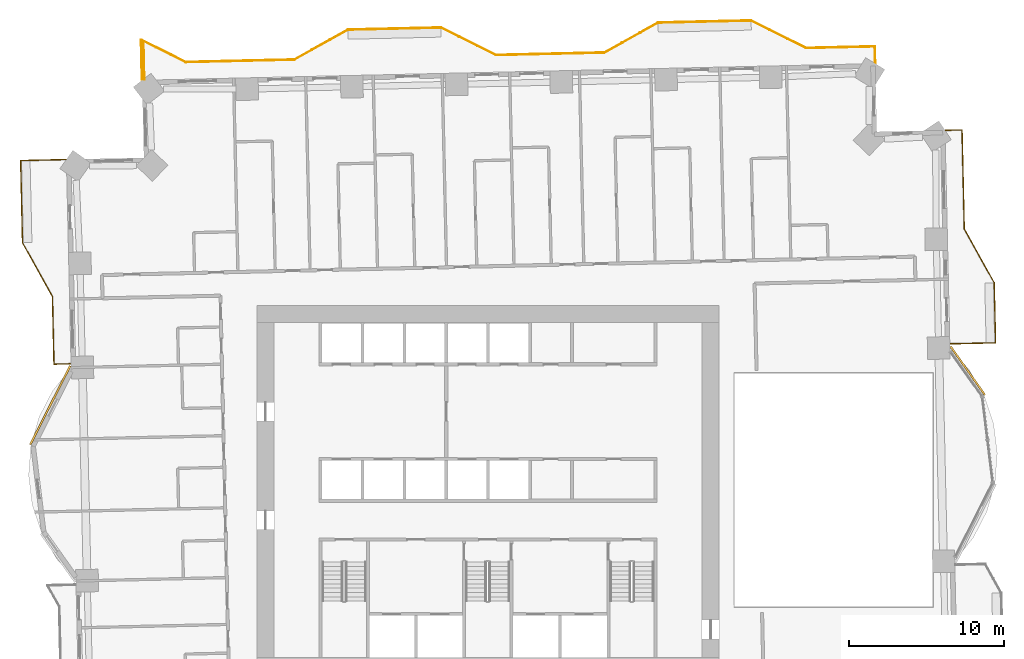
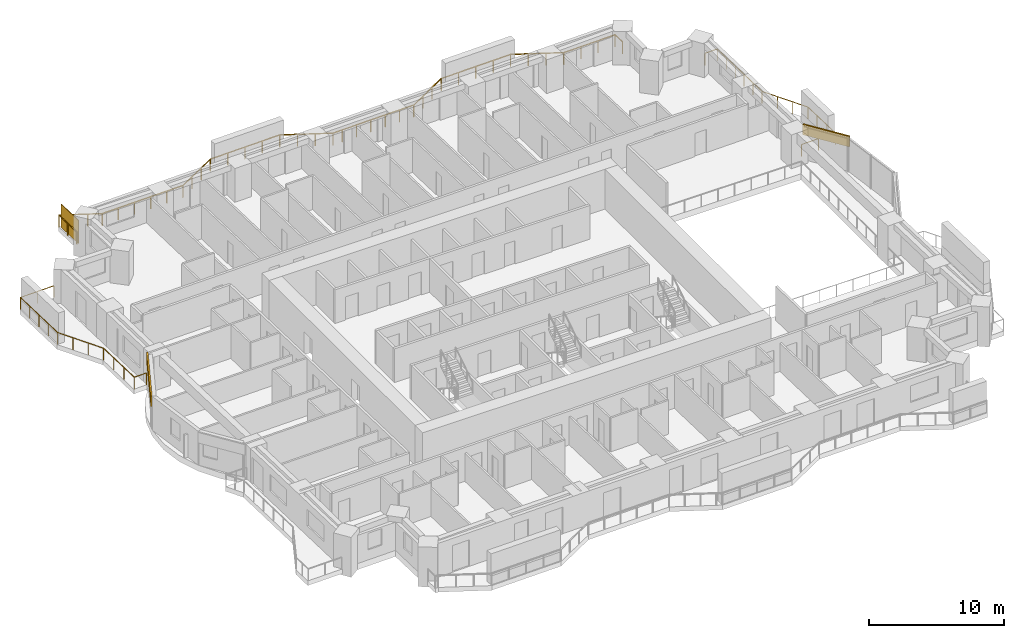
# One storey, part 17 of 17: 3 railings, 2 coverings, 1 shading device.
"""IFC4 building model written with IfcOpenShell, lengths in metres."""

from ifc_helpers import new_model, si_unit, direction, frame, frame_2d, origin, origin_2d, place, context, subcontext, project, spatial, rectangle, extrude, material, layer, layer_set, type_object, element, save


model = new_model("IFC4")

# Units and contexts
model_context = context("Model", 3, precision=1e-05, world=origin(), true_north=direction((0.0, 1.0)))
body_context = subcontext(model_context, "Body", "Model", "MODEL_VIEW")
ifc_project = project(units=[si_unit("LENGTHUNIT", "METRE"), si_unit("AREAUNIT", "SQUARE_METRE"), si_unit("VOLUMEUNIT", "CUBIC_METRE"), si_unit("PLANEANGLEUNIT", "RADIAN"), si_unit("MASSUNIT", "GRAM", prefix="KILO")], contexts=[model_context])

# Site, building, storey
site_placement = place(None, origin())
site = spatial("IfcSite", under=ifc_project, at=site_placement, CompositionType="ELEMENT")
building_placement = place(site_placement, origin())
building = spatial("IfcBuilding", under=site, at=building_placement, Name="Mangrove Gate Tower", CompositionType="ELEMENT")
storey_placement = place(building_placement, frame((0.0, 0.0, 79.300048828125)))
storey = spatial("IfcBuildingStorey", under=building, at=storey_placement, Name="L19", CompositionType="ELEMENT", Elevation=79.300048828125)

# Railings
ifc_material_1 = material(Name="Stainless steel grade 316 with laminated glass infill", Category="steel")
railing_type = type_object("IfcRailingType", Name="Balcony guard 1100", PredefinedType="GUARDRAIL", material=ifc_material_1)
railing_1_placement = place(storey_placement, frame((29.806884765625, 9.4169921875, 0.0)))
element("IfcRailing", 1, at=railing_1_placement, inside=storey, type_object=railing_type, Name="GUARD L19 E2", PredefinedType="GUARDRAIL", context=body_context, shape_type="SweptSolid", body=[
    extrude(rectangle(XDim=0.048095703125, YDim=0.048095703125, at=origin_2d()), frame((0.0, 0.0, 1.076171875), z_axis=(0.999743392495, 0.022652795902, 0.0), x_axis=(-0.022652795902, 0.999743392495, 0.0)), (0.0, 0.0, 1.0), 2.909912109375),
    extrude(rectangle(XDim=0.048095703125, YDim=0.048095703125, at=origin_2d()), frame((2.9091796875, 0.06591796875, 1.076171875), z_axis=(-0.022744303924, 0.999741314861, 0.0), x_axis=(-0.999741314861, -0.022744303924, 0.0)), (0.0, 0.0, 1.0), 3.875),
    extrude(rectangle(XDim=0.048095703125, YDim=0.048095703125, at=origin_2d()), frame((2.821044921875, 3.93994140625, 1.076171875), z_axis=(-0.48726008209, 0.87325689943, 0.0), x_axis=(-0.87325689943, -0.48726008209, 0.0)), (0.0, 0.0, 1.0), 3.958740234375),
    extrude(rectangle(XDim=0.048095703125, YDim=0.048095703125, at=origin_2d()), frame((0.89208984375, 7.39697265625, 1.076171875), z_axis=(-0.022660744415, 0.999743212361, 0.0), x_axis=(-0.999743212361, -0.022660744415, 0.0)), (0.0, 0.0, 1.0), 6.399658203125),
    extrude(rectangle(XDim=0.048095703125, YDim=0.048095703125, at=origin_2d()), frame((0.7470703125, 13.794921875, 1.076171875), z_axis=(-0.999744802133, -0.022590498181, 0.0), x_axis=(0.022590498181, -0.999744802133, 0.0)), (0.0, 0.0, 1.0), 1.05908203125),
    extrude(rectangle(XDim=0.0419921875, YDim=0.0419921875, at=origin_2d()), origin(), (0.0, 0.0, 1.0), 1.052001953125),
    extrude(rectangle(XDim=0.0419921875, YDim=0.0419921875, at=origin_2d()), frame((1.45458984375, 0.032958984375, 0.0)), (0.0, 0.0, 1.0), 1.052001953125),
    extrude(rectangle(XDim=0.0419921875, YDim=0.0419921875, at=origin_2d()), frame((2.9091796875, 0.06591796875, 0.0)), (0.0, 0.0, 1.0), 1.052001953125),
    extrude(rectangle(XDim=0.0419921875, YDim=0.0419921875, at=origin_2d()), frame((2.8798828125, 1.357177734375, 0.0)), (0.0, 0.0, 1.0), 1.052001953125),
    extrude(rectangle(XDim=0.0419921875, YDim=0.0419921875, at=origin_2d()), frame((2.850341796875, 2.648681640625, 0.0)), (0.0, 0.0, 1.0), 1.052001953125),
    extrude(rectangle(XDim=0.0419921875, YDim=0.0419921875, at=origin_2d()), frame((2.821044921875, 3.93994140625, 0.0)), (0.0, 0.0, 1.0), 1.052001953125),
    extrude(rectangle(XDim=0.0419921875, YDim=0.0419921875, at=origin_2d()), frame((2.177978515625, 5.09228515625, 0.0)), (0.0, 0.0, 1.0), 1.052001953125),
    extrude(rectangle(XDim=0.0419921875, YDim=0.0419921875, at=origin_2d()), frame((1.53515625, 6.24462890625, 0.0)), (0.0, 0.0, 1.0), 1.052001953125),
    extrude(rectangle(XDim=0.0419921875, YDim=0.0419921875, at=origin_2d()), frame((0.89208984375, 7.39697265625, 0.0)), (0.0, 0.0, 1.0), 1.052001953125),
    extrude(rectangle(XDim=0.0419921875, YDim=0.0419921875, at=origin_2d()), frame((0.863037109375, 8.676513671875, 0.0)), (0.0, 0.0, 1.0), 1.052001953125),
    extrude(rectangle(XDim=0.0419921875, YDim=0.0419921875, at=origin_2d()), frame((0.833984375, 9.9560546875, 0.0)), (0.0, 0.0, 1.0), 1.052001953125),
    extrude(rectangle(XDim=0.0419921875, YDim=0.0419921875, at=origin_2d()), frame((0.80517578125, 11.23583984375, 0.0)), (0.0, 0.0, 1.0), 1.052001953125),
    extrude(rectangle(XDim=0.0419921875, YDim=0.0419921875, at=origin_2d()), frame((0.776123046875, 12.515380859375, 0.0)), (0.0, 0.0, 1.0), 1.052001953125),
    extrude(rectangle(XDim=0.0419921875, YDim=0.0419921875, at=origin_2d()), frame((0.7470703125, 13.794921875, 0.0)), (0.0, 0.0, 1.0), 1.052001953125),
    extrude(rectangle(XDim=0.0419921875, YDim=0.0419921875, at=origin_2d()), frame((-0.311767578125, 13.77099609375, 0.0)), (0.0, 0.0, 1.0), 1.052001953125),
])
railing_2_placement = place(storey_placement, frame((24.955078125, 27.527099609375, 0.0)))
element("IfcRailing", 2, at=railing_2_placement, inside=storey, type_object=railing_type, Name="GUARD L19 N1", PredefinedType="GUARDRAIL", context=body_context, shape_type="SweptSolid", body=[
    extrude(rectangle(XDim=0.048095703125, YDim=0.048095703125, at=origin_2d()), frame((0.0, 0.0, 1.076171875), z_axis=(-0.022820894023, 0.999739569486, 0.0), x_axis=(-0.999739569486, -0.022820894023, 0.0)), (0.0, 0.0, 1.0), 1.05908203125),
    extrude(rectangle(XDim=0.048095703125, YDim=0.048095703125, at=origin_2d()), frame((-0.024169921875, 1.058837890625, 1.076171875), z_axis=(-0.999746615103, -0.02251012197, 0.0), x_axis=(0.02251012197, -0.999746615103, 0.0)), (0.0, 0.0, 1.0), 4.43603515625),
    extrude(rectangle(XDim=0.048095703125, YDim=0.048095703125, at=origin_2d()), frame((-4.458984375, 0.958984375, 1.076171875), z_axis=(-0.894476522376, 0.447114919141, 0.0), x_axis=(-0.447114919141, -0.894476522376, 0.0)), (0.0, 0.0, 1.0), 3.958740234375),
    extrude(rectangle(XDim=0.048095703125, YDim=0.048095703125, at=origin_2d()), frame((-8.0, 2.72900390625, 1.076171875), z_axis=(-0.999743094499, -0.022665943652, 0.0), x_axis=(0.022665943652, -0.999743094499, 0.0)), (0.0, 0.0, 1.0), 5.99951171875),
    extrude(rectangle(XDim=0.048095703125, YDim=0.048095703125, at=origin_2d()), frame((-13.998046875, 2.593017578125, 1.076171875), z_axis=(-0.873289216505, -0.487202159618, 0.0), x_axis=(0.487202159618, -0.873289216505, 0.0)), (0.0, 0.0, 1.0), 3.959716796875),
    extrude(rectangle(XDim=0.048095703125, YDim=0.048095703125, at=origin_2d()), frame((-17.4560546875, 0.663818359375, 1.076171875), z_axis=(-0.999741815214, -0.022722299893, 0.0), x_axis=(0.022722299893, -0.999741815214, 0.0)), (0.0, 0.0, 1.0), 6.19970703125),
    extrude(rectangle(XDim=0.048095703125, YDim=0.048095703125, at=origin_2d()), frame((-23.654052734375, 0.52294921875, 1.076171875), z_axis=(-0.999745132473, -0.022575874215, 0.0), x_axis=(0.022575874215, -0.999745132473, 0.0)), (0.0, 0.0, 1.0), 0.80029296875),
    extrude(rectangle(XDim=0.048095703125, YDim=0.048095703125, at=origin_2d()), frame((-24.4541015625, 0.5048828125, 1.076171875), z_axis=(-0.894476522376, 0.447114919141, 0.0), x_axis=(-0.447114919141, -0.894476522376, 0.0)), (0.0, 0.0, 1.0), 3.958740234375),
    extrude(rectangle(XDim=0.048095703125, YDim=0.048095703125, at=origin_2d()), frame((-27.9951171875, 2.27490234375, 1.076171875), z_axis=(-0.999743094499, -0.022665943652, 0.0), x_axis=(0.022665943652, -0.999743094499, 0.0)), (0.0, 0.0, 1.0), 5.99951171875),
    extrude(rectangle(XDim=0.048095703125, YDim=0.048095703125, at=origin_2d()), frame((-33.9931640625, 2.138916015625, 1.076171875), z_axis=(-0.87325689943, -0.48726008209, 0.0), x_axis=(0.48726008209, -0.87325689943, 0.0)), (0.0, 0.0, 1.0), 3.958740234375),
    extrude(rectangle(XDim=0.048095703125, YDim=0.048095703125, at=origin_2d()), frame((-37.4501953125, 0.2099609375, 1.076171875), z_axis=(-0.999741457317, -0.022738041308, 0.0), x_axis=(0.022738041308, -0.999741457317, 0.0)), (0.0, 0.0, 1.0), 7.00048828125),
    extrude(rectangle(XDim=0.048095703125, YDim=0.048095703125, at=origin_2d()), frame((-44.448974609375, 0.05078125, 1.076171875), z_axis=(-0.89448807366, 0.447091809452, 0.0), x_axis=(-0.447091809452, -0.89448807366, 0.0)), (0.0, 0.0, 1.0), 3.20751953125),
    extrude(rectangle(XDim=0.048095703125, YDim=0.048095703125, at=origin_2d()), frame((-47.318115234375, 1.48486328125, 1.076171875), z_axis=(0.022710567478, -0.999742081802, 0.0), x_axis=(0.999742081802, 0.022710567478, 0.0)), (0.0, 0.0, 1.0), 2.55859375),
    extrude(rectangle(XDim=0.0419921875, YDim=0.0419921875, at=origin_2d()), origin(), (0.0, 0.0, 1.0), 1.052001953125),
    extrude(rectangle(XDim=0.0419921875, YDim=0.0419921875, at=origin_2d()), frame((-0.024169921875, 1.058837890625, 0.0)), (0.0, 0.0, 1.0), 1.052001953125),
    extrude(rectangle(XDim=0.0419921875, YDim=0.0419921875, at=origin_2d()), frame((-1.50244140625, 1.025634765625, 0.0)), (0.0, 0.0, 1.0), 1.052001953125),
    extrude(rectangle(XDim=0.0419921875, YDim=0.0419921875, at=origin_2d()), frame((-2.980712890625, 0.9921875, 0.0)), (0.0, 0.0, 1.0), 1.052001953125),
    extrude(rectangle(XDim=0.0419921875, YDim=0.0419921875, at=origin_2d()), frame((-4.458984375, 0.958984375, 0.0)), (0.0, 0.0, 1.0), 1.052001953125),
    extrude(rectangle(XDim=0.0419921875, YDim=0.0419921875, at=origin_2d()), frame((-5.639404296875, 1.549072265625, 0.0)), (0.0, 0.0, 1.0), 1.052001953125),
    extrude(rectangle(XDim=0.0419921875, YDim=0.0419921875, at=origin_2d()), frame((-6.819580078125, 2.138916015625, 0.0)), (0.0, 0.0, 1.0), 1.052001953125),
    extrude(rectangle(XDim=0.0419921875, YDim=0.0419921875, at=origin_2d()), frame((-8.0, 2.72900390625, 0.0)), (0.0, 0.0, 1.0), 1.052001953125),
    extrude(rectangle(XDim=0.0419921875, YDim=0.0419921875, at=origin_2d()), frame((-9.49951171875, 2.695068359375, 0.0)), (0.0, 0.0, 1.0), 1.052001953125),
    extrude(rectangle(XDim=0.0419921875, YDim=0.0419921875, at=origin_2d()), frame((-10.9990234375, 2.6611328125, 0.0)), (0.0, 0.0, 1.0), 1.052001953125),
    extrude(rectangle(XDim=0.0419921875, YDim=0.0419921875, at=origin_2d()), frame((-12.49853515625, 2.626953125, 0.0)), (0.0, 0.0, 1.0), 1.052001953125),
    extrude(rectangle(XDim=0.0419921875, YDim=0.0419921875, at=origin_2d()), frame((-13.998046875, 2.593017578125, 0.0)), (0.0, 0.0, 1.0), 1.052001953125),
    extrude(rectangle(XDim=0.0419921875, YDim=0.0419921875, at=origin_2d()), frame((-15.150634765625, 1.949951171875, 0.0)), (0.0, 0.0, 1.0), 1.052001953125),
    extrude(rectangle(XDim=0.0419921875, YDim=0.0419921875, at=origin_2d()), frame((-16.303466796875, 1.306884765625, 0.0)), (0.0, 0.0, 1.0), 1.052001953125),
    extrude(rectangle(XDim=0.0419921875, YDim=0.0419921875, at=origin_2d()), frame((-17.4560546875, 0.663818359375, 0.0)), (0.0, 0.0, 1.0), 1.052001953125),
    extrude(rectangle(XDim=0.0419921875, YDim=0.0419921875, at=origin_2d()), frame((-18.695556640625, 0.6357421875, 0.0)), (0.0, 0.0, 1.0), 1.052001953125),
    extrude(rectangle(XDim=0.0419921875, YDim=0.0419921875, at=origin_2d()), frame((-19.935302734375, 0.607421875, 0.0)), (0.0, 0.0, 1.0), 1.052001953125),
    extrude(rectangle(XDim=0.0419921875, YDim=0.0419921875, at=origin_2d()), frame((-21.1748046875, 0.579345703125, 0.0)), (0.0, 0.0, 1.0), 1.052001953125),
    extrude(rectangle(XDim=0.0419921875, YDim=0.0419921875, at=origin_2d()), frame((-22.41455078125, 0.551025390625, 0.0)), (0.0, 0.0, 1.0), 1.052001953125),
    extrude(rectangle(XDim=0.0419921875, YDim=0.0419921875, at=origin_2d()), frame((-23.654052734375, 0.52294921875, 0.0)), (0.0, 0.0, 1.0), 1.052001953125),
    extrude(rectangle(XDim=0.0419921875, YDim=0.0419921875, at=origin_2d()), frame((-24.4541015625, 0.5048828125, 0.0)), (0.0, 0.0, 1.0), 1.052001953125),
    extrude(rectangle(XDim=0.0419921875, YDim=0.0419921875, at=origin_2d()), frame((-25.634521484375, 1.094970703125, 0.0)), (0.0, 0.0, 1.0), 1.052001953125),
    extrude(rectangle(XDim=0.0419921875, YDim=0.0419921875, at=origin_2d()), frame((-26.814697265625, 1.684814453125, 0.0)), (0.0, 0.0, 1.0), 1.052001953125),
    extrude(rectangle(XDim=0.0419921875, YDim=0.0419921875, at=origin_2d()), frame((-27.9951171875, 2.27490234375, 0.0)), (0.0, 0.0, 1.0), 1.052001953125),
    extrude(rectangle(XDim=0.0419921875, YDim=0.0419921875, at=origin_2d()), frame((-29.49462890625, 2.240966796875, 0.0)), (0.0, 0.0, 1.0), 1.052001953125),
    extrude(rectangle(XDim=0.0419921875, YDim=0.0419921875, at=origin_2d()), frame((-30.994140625, 2.20703125, 0.0)), (0.0, 0.0, 1.0), 1.052001953125),
    extrude(rectangle(XDim=0.0419921875, YDim=0.0419921875, at=origin_2d()), frame((-32.49365234375, 2.1728515625, 0.0)), (0.0, 0.0, 1.0), 1.052001953125),
    extrude(rectangle(XDim=0.0419921875, YDim=0.0419921875, at=origin_2d()), frame((-33.9931640625, 2.138916015625, 0.0)), (0.0, 0.0, 1.0), 1.052001953125),
    extrude(rectangle(XDim=0.0419921875, YDim=0.0419921875, at=origin_2d()), frame((-35.1455078125, 1.495849609375, 0.0)), (0.0, 0.0, 1.0), 1.052001953125),
    extrude(rectangle(XDim=0.0419921875, YDim=0.0419921875, at=origin_2d()), frame((-36.2978515625, 0.85302734375, 0.0)), (0.0, 0.0, 1.0), 1.052001953125),
    extrude(rectangle(XDim=0.0419921875, YDim=0.0419921875, at=origin_2d()), frame((-37.4501953125, 0.2099609375, 0.0)), (0.0, 0.0, 1.0), 1.052001953125),
    extrude(rectangle(XDim=0.0419921875, YDim=0.0419921875, at=origin_2d()), frame((-38.849853515625, 0.17822265625, 0.0)), (0.0, 0.0, 1.0), 1.052001953125),
    extrude(rectangle(XDim=0.0419921875, YDim=0.0419921875, at=origin_2d()), frame((-40.249755859375, 0.146240234375, 0.0)), (0.0, 0.0, 1.0), 1.052001953125),
    extrude(rectangle(XDim=0.0419921875, YDim=0.0419921875, at=origin_2d()), frame((-41.6494140625, 0.114501953125, 0.0)), (0.0, 0.0, 1.0), 1.052001953125),
    extrude(rectangle(XDim=0.0419921875, YDim=0.0419921875, at=origin_2d()), frame((-43.04931640625, 0.08251953125, 0.0)), (0.0, 0.0, 1.0), 1.052001953125),
    extrude(rectangle(XDim=0.0419921875, YDim=0.0419921875, at=origin_2d()), frame((-44.448974609375, 0.05078125, 0.0)), (0.0, 0.0, 1.0), 1.052001953125),
    extrude(rectangle(XDim=0.0419921875, YDim=0.0419921875, at=origin_2d()), frame((-45.4052734375, 0.52880859375, 0.0)), (0.0, 0.0, 1.0), 1.052001953125),
    extrude(rectangle(XDim=0.0419921875, YDim=0.0419921875, at=origin_2d()), frame((-46.36181640625, 1.0068359375, 0.0)), (0.0, 0.0, 1.0), 1.052001953125),
    extrude(rectangle(XDim=0.0419921875, YDim=0.0419921875, at=origin_2d()), frame((-47.318115234375, 1.48486328125, 0.0)), (0.0, 0.0, 1.0), 1.052001953125),
    extrude(rectangle(XDim=0.0419921875, YDim=0.0419921875, at=origin_2d()), frame((-47.2890625, 0.2060546875, 0.0)), (0.0, 0.0, 1.0), 1.052001953125),
    extrude(rectangle(XDim=0.0419921875, YDim=0.0419921875, at=origin_2d()), frame((-47.260009765625, -1.072998046875, 0.0)), (0.0, 0.0, 1.0), 1.052001953125),
])
railing_3_placement = place(storey_placement, frame((-27.22900390625, 21.301025390625, 0.0)))
element("IfcRailing", 3, at=railing_3_placement, inside=storey, type_object=railing_type, Name="GUARD L19 W1", PredefinedType="GUARDRAIL", context=body_context, shape_type="SweptSolid", body=[
    extrude(rectangle(XDim=0.048095703125, YDim=0.048095703125, at=origin_2d()), frame((0.0, 0.0, 1.076171875), z_axis=(-0.999743349437, -0.022654696127, 0.0), x_axis=(0.022654696127, -0.999743349437, 0.0)), (0.0, 0.0, 1.0), 2.90966796875),
    extrude(rectangle(XDim=0.048095703125, YDim=0.048095703125, at=origin_2d()), frame((-2.908935546875, -0.06591796875, 1.076171875), z_axis=(0.022615729912, -0.999744231672, 0.0), x_axis=(0.999744231672, 0.022615729912, 0.0)), (0.0, 0.0, 1.0), 5.300537109375),
    extrude(rectangle(XDim=0.048095703125, YDim=0.048095703125, at=origin_2d()), frame((-2.7890625, -5.364990234375, 1.076171875), z_axis=(0.48726008209, -0.87325689943, 0.0), x_axis=(0.87325689943, 0.48726008209, 0.0)), (0.0, 0.0, 1.0), 3.958740234375),
    extrude(rectangle(XDim=0.048095703125, YDim=0.048095703125, at=origin_2d()), frame((-0.860107421875, -8.822021484375, 1.076171875), z_axis=(0.022660548572, -0.9997432168, 0.0), x_axis=(0.9997432168, 0.022660548572, 0.0)), (0.0, 0.0, 1.0), 4.374267578125),
    extrude(rectangle(XDim=0.048095703125, YDim=0.048095703125, at=origin_2d()), frame((-0.760986328125, -13.195068359375, 1.076171875), z_axis=(0.999745389313, 0.022564497502, 0.0), x_axis=(-0.022564497502, 0.999745389313, 0.0)), (0.0, 0.0, 1.0), 1.060302734375),
    extrude(rectangle(XDim=0.0419921875, YDim=0.0419921875, at=origin_2d()), origin(), (0.0, 0.0, 1.0), 1.052001953125),
    extrude(rectangle(XDim=0.0419921875, YDim=0.0419921875, at=origin_2d()), frame((-1.45458984375, -0.032958984375, 0.0)), (0.0, 0.0, 1.0), 1.052001953125),
    extrude(rectangle(XDim=0.0419921875, YDim=0.0419921875, at=origin_2d()), frame((-2.908935546875, -0.06591796875, 0.0)), (0.0, 0.0, 1.0), 1.052001953125),
    extrude(rectangle(XDim=0.0419921875, YDim=0.0419921875, at=origin_2d()), frame((-2.87890625, -1.390625, 0.0)), (0.0, 0.0, 1.0), 1.052001953125),
    extrude(rectangle(XDim=0.0419921875, YDim=0.0419921875, at=origin_2d()), frame((-2.84912109375, -2.71533203125, 0.0)), (0.0, 0.0, 1.0), 1.052001953125),
    extrude(rectangle(XDim=0.0419921875, YDim=0.0419921875, at=origin_2d()), frame((-2.819091796875, -4.040283203125, 0.0)), (0.0, 0.0, 1.0), 1.052001953125),
    extrude(rectangle(XDim=0.0419921875, YDim=0.0419921875, at=origin_2d()), frame((-2.7890625, -5.364990234375, 0.0)), (0.0, 0.0, 1.0), 1.052001953125),
    extrude(rectangle(XDim=0.0419921875, YDim=0.0419921875, at=origin_2d()), frame((-2.14599609375, -6.517333984375, 0.0)), (0.0, 0.0, 1.0), 1.052001953125),
    extrude(rectangle(XDim=0.0419921875, YDim=0.0419921875, at=origin_2d()), frame((-1.503173828125, -7.669677734375, 0.0)), (0.0, 0.0, 1.0), 1.052001953125),
    extrude(rectangle(XDim=0.0419921875, YDim=0.0419921875, at=origin_2d()), frame((-0.860107421875, -8.822021484375, 0.0)), (0.0, 0.0, 1.0), 1.052001953125),
    extrude(rectangle(XDim=0.0419921875, YDim=0.0419921875, at=origin_2d()), frame((-0.8271484375, -10.27978515625, 0.0)), (0.0, 0.0, 1.0), 1.052001953125),
    extrude(rectangle(XDim=0.0419921875, YDim=0.0419921875, at=origin_2d()), frame((-0.7939453125, -11.7373046875, 0.0)), (0.0, 0.0, 1.0), 1.052001953125),
    extrude(rectangle(XDim=0.0419921875, YDim=0.0419921875, at=origin_2d()), frame((-0.760986328125, -13.195068359375, 0.0)), (0.0, 0.0, 1.0), 1.052001953125),
    extrude(rectangle(XDim=0.0419921875, YDim=0.0419921875, at=origin_2d()), frame((0.299072265625, -13.171142578125, 0.0)), (0.0, 0.0, 1.0), 1.052001953125),
])

# Shading device
ifc_material_2 = material(Name="Timber slat screen in teak", Category="wood")
shading_device_type = type_object("IfcShadingDeviceType", Name="Balcony screen 2100", PredefinedType="USERDEFINED", material=ifc_material_2)
shading_device_placement = place(storey_placement, frame((-22.19189453125, 27.656005859375, 0.0), z_axis=(0.0, 0.0, 1.0), x_axis=(-0.022739679942, 0.999741420046, 0.0)))
element("IfcShadingDevice", 4, at=shading_device_placement, inside=storey, type_object=shading_device_type, Name="SCREEN L19 N1", ObjectType="SCREEN", PredefinedType="USERDEFINED", context=body_context, shape_type="SweptSolid", body=[
    extrude(rectangle(XDim=2.43896484375, YDim=0.050048828125, at=origin_2d()), origin(), (0.0, 0.0, 1.0), 2.10009765625),
])

# Coverings
ifc_material_3 = material(Name="Limestone", Category="masonry")
ifc_layer_1 = layer(ifc_material_3, 0.0400390625, Name="Limestone cladding")
ifc_material_4 = material(Name="Stainless steel anchors and cavity", Category="steel")
ifc_layer_2 = layer(ifc_material_4, 0.080078125, Name="Fixing cavity")
ifc_layer_set = layer_set([ifc_layer_1, ifc_layer_2], Name="Joint fascia cladding 120")
covering_type = type_object("IfcCoveringType", Name="Joint fascia cladding 120", PredefinedType="CLADDING", material=ifc_layer_set)
covering_1_placement = place(storey_placement, frame((32.02294921875, 6.131103515625, 2.099853515625), z_axis=(0.0, 0.0, 1.0), x_axis=(-0.578168098379, 0.815917673553, 0.0)))
element("IfcCovering", 5, at=covering_1_placement, inside=storey, type_object=covering_type, Name="STONE FASCIA L19 E1.L2", PredefinedType="CLADDING", context=body_context, shape_type="SweptSolid", body=[
    extrude(rectangle(XDim=3.819091796875, YDim=0.1201171875, at=frame_2d((1.90966796875, 0.0))), origin(), (0.0, 0.0, 1.0), 0.9501953125),
])
covering_2_placement = place(storey_placement, frame((-26.937255859375, 8.00537109375, 2.099853515625), z_axis=(0.0, 0.0, 1.0), x_axis=(-0.452477241859, -0.891775950337, 0.0)))
element("IfcCovering", 6, at=covering_2_placement, inside=storey, type_object=covering_type, Name="STONE FASCIA L19 W9.L1", PredefinedType="CLADDING", context=body_context, shape_type="SweptSolid", body=[
    extrude(rectangle(XDim=5.705810546875, YDim=0.1201171875, at=frame_2d((2.85302734375, 0.0))), origin(), (0.0, 0.0, 1.0), 0.9501953125),
])

save(model, "model.ifc")
